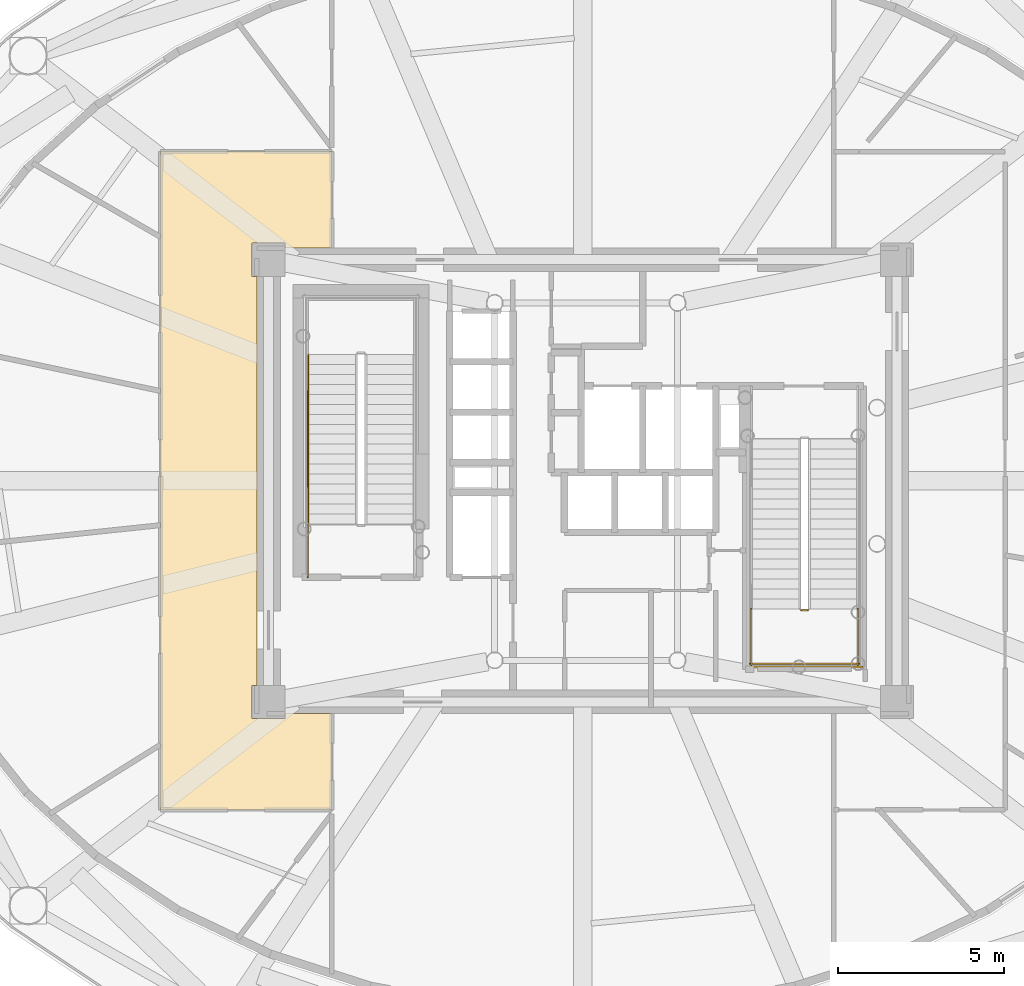
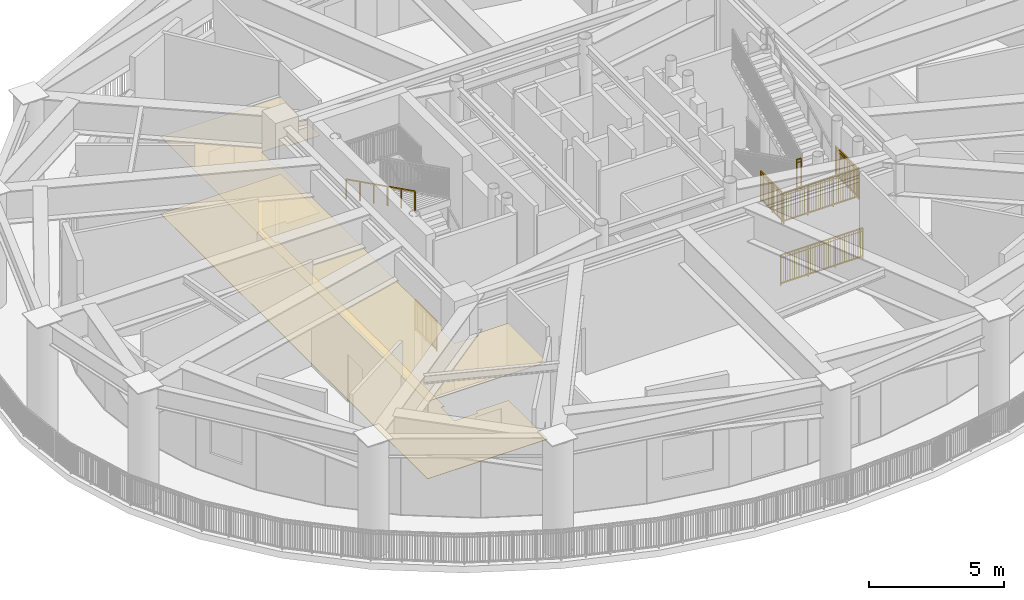
# One storey, part 8 of 14: 7 railings, 2 coverings.
"""IFC4 building model written with IfcOpenShell, lengths in metres."""

from ifc_helpers import new_model, si_unit, direction, frame, origin, origin_2d, place, context, subcontext, project, spatial, polyline, rectangle, outline, extrude, source, transform, mapped, material, layer, layer_set, type_object, element, save


model = new_model("IFC4")

# Units and contexts
model_context = context("Model", 3, precision=1e-05, world=origin(), true_north=direction((0.0, 1.0)))
body_context = subcontext(model_context, "Body", "Model", "MODEL_VIEW")
ifc_project = project(units=[si_unit("LENGTHUNIT", "METRE"), si_unit("AREAUNIT", "SQUARE_METRE"), si_unit("VOLUMEUNIT", "CUBIC_METRE"), si_unit("PLANEANGLEUNIT", "RADIAN"), si_unit("MASSUNIT", "GRAM", prefix="KILO")], contexts=[model_context])

# Site, building, storey
site_placement = place(None, origin())
site = spatial("IfcSite", under=ifc_project, at=site_placement, CompositionType="ELEMENT")
building_placement = place(site_placement, origin())
building = spatial("IfcBuilding", under=site, at=building_placement, Name="Linh Dai School and Residence Tower", CompositionType="ELEMENT")
storey_placement = place(building_placement, frame((0.0, 0.0, 262.800048828125)))
storey = spatial("IfcBuildingStorey", under=building, at=storey_placement, Name="L65", CompositionType="ELEMENT", Elevation=262.800048828125)

# Coverings
ifc_material_1 = material(Name="Mineral Fibre Acoustic Suspended Ceiling", Category="masonry")
ifc_layer_1 = layer(ifc_material_1, 0.02001953125)
ifc_layer_set_1 = layer_set([ifc_layer_1], Name="Mineral Fibre Acoustic Suspended Ceiling")
covering_type_1 = type_object("IfcCoveringType", Name="COV-CEIL-AC-20", PredefinedType="CEILING", material=ifc_layer_set_1)
covering_1_placement = place(storey_placement, frame((0.0, 0.0, 3.5)))
element("IfcCovering", 1, at=covering_1_placement, inside=storey, type_object=covering_type_1, Name="L65 Plant and Refuge Access Corridor West Suspended Ceiling", PredefinedType="CEILING", context=body_context, shape_type="SweptSolid", body=[
    extrude(outline(polyline([(23.300048828125, 36.89990234375), (28.449951171875, 36.89990234375), (28.449951171875, 34.0), (27.050048828125, 34.0), (27.050048828125, 34.14990234375), (26.050048828125, 34.14990234375), (26.050048828125, 33.14990234375), (26.199951171875, 33.14990234375), (26.199951171875, 20.85009765625), (26.050048828125, 20.85009765625), (26.050048828125, 19.85009765625), (27.050048828125, 19.85009765625), (27.050048828125, 20.0), (28.449951171875, 20.0), (28.449951171875, 17.10009765625), (23.300048828125, 17.10009765625), (23.300048828125, 36.89990234375)])), origin(), (0.0, 0.0, 1.0), 0.02001953125),
])
ifc_material_2 = material(Name="Polished Terrazzo Floor Finish", Category="masonry")
ifc_layer_2 = layer(ifc_material_2, 0.02490234375)
ifc_layer_set_2 = layer_set([ifc_layer_2], Name="Polished Terrazzo Floor Finish")
covering_type_2 = type_object("IfcCoveringType", Name="COV-FLR-TRZ-25", PredefinedType="FLOORING", material=ifc_layer_set_2)
covering_2_placement = place(storey_placement, origin())
element("IfcCovering", 2, at=covering_2_placement, inside=storey, type_object=covering_type_2, Name="L65 Plant and Refuge Access Corridor West Floor Finish", PredefinedType="FLOORING", context=body_context, shape_type="SweptSolid", body=[
    extrude(outline(polyline([(23.300048828125, 36.89990234375), (28.449951171875, 36.89990234375), (28.449951171875, 34.0), (27.050048828125, 34.0), (27.050048828125, 34.14990234375), (26.050048828125, 34.14990234375), (26.050048828125, 33.14990234375), (26.199951171875, 33.14990234375), (26.199951171875, 20.85009765625), (26.050048828125, 20.85009765625), (26.050048828125, 19.85009765625), (27.050048828125, 19.85009765625), (27.050048828125, 20.0), (28.449951171875, 20.0), (28.449951171875, 17.10009765625), (23.300048828125, 17.10009765625), (23.300048828125, 36.89990234375)])), origin(), (0.0, 0.0, 1.0), 0.02001953125),
])

# Railings
ifc_material_3 = material(Name="Structural Steel S355JR", Category="steel")
railing_type_1 = type_object("IfcRailingType", Name="RL-ST-GUARD-1400", PredefinedType="GUARDRAIL", material=ifc_material_3)
shared_shape_1 = source(origin(), body_context, "Body", "SweptSolid", [
    extrude(rectangle(XDim=0.048095703125, YDim=0.048095703125, at=origin_2d()), frame((0.0, 0.0, 1.3759765625), z_axis=(0.0, 1.0, 0.0), x_axis=(-1.0, 0.0, 0.0)), (0.0, 0.0, 1.0), 1.599853515625),
    extrude(rectangle(XDim=0.048095703125, YDim=0.048095703125, at=origin_2d()), frame((0.0, 0.0, 0.10009765625), z_axis=(0.0, 1.0, 0.0), x_axis=(-1.0, 0.0, 0.0)), (0.0, 0.0, 1.0), 1.599853515625),
    extrude(rectangle(XDim=0.030029296875, YDim=0.030029296875, at=origin_2d()), frame((0.0, 0.0, 1.239990234375), z_axis=(0.0, 1.0, 0.0), x_axis=(-1.0, 0.0, 0.0)), (0.0, 0.0, 1.0), 1.599853515625),
    extrude(rectangle(XDim=0.02001953125, YDim=0.02001953125, at=origin_2d()), frame((0.0, 0.093994140625, 0.10009765625)), (0.0, 0.0, 1.0), 1.251708984375),
    extrude(rectangle(XDim=0.02001953125, YDim=0.02001953125, at=origin_2d()), frame((0.0, 0.188232421875, 0.10009765625)), (0.0, 0.0, 1.0), 1.251708984375),
    extrude(rectangle(XDim=0.02001953125, YDim=0.02001953125, at=origin_2d()), frame((0.0, 0.2822265625, 0.10009765625)), (0.0, 0.0, 1.0), 1.251708984375),
    extrude(rectangle(XDim=0.02001953125, YDim=0.02001953125, at=origin_2d()), frame((0.0, 0.37646484375, 0.10009765625)), (0.0, 0.0, 1.0), 1.251708984375),
    extrude(rectangle(XDim=0.02001953125, YDim=0.02001953125, at=origin_2d()), frame((0.0, 0.470458984375, 0.10009765625)), (0.0, 0.0, 1.0), 1.251708984375),
    extrude(rectangle(XDim=0.02001953125, YDim=0.02001953125, at=origin_2d()), frame((0.0, 0.564697265625, 0.10009765625)), (0.0, 0.0, 1.0), 1.251708984375),
    extrude(rectangle(XDim=0.02001953125, YDim=0.02001953125, at=origin_2d()), frame((0.0, 0.65869140625, 0.10009765625)), (0.0, 0.0, 1.0), 1.251708984375),
    extrude(rectangle(XDim=0.02001953125, YDim=0.02001953125, at=origin_2d()), frame((0.0, 0.7529296875, 0.10009765625)), (0.0, 0.0, 1.0), 1.251708984375),
    extrude(rectangle(XDim=0.02001953125, YDim=0.02001953125, at=origin_2d()), frame((0.0, 0.846923828125, 0.10009765625)), (0.0, 0.0, 1.0), 1.251708984375),
    extrude(rectangle(XDim=0.02001953125, YDim=0.02001953125, at=origin_2d()), frame((0.0, 0.941162109375, 0.10009765625)), (0.0, 0.0, 1.0), 1.251708984375),
    extrude(rectangle(XDim=0.02001953125, YDim=0.02001953125, at=origin_2d()), frame((0.0, 1.03515625, 0.10009765625)), (0.0, 0.0, 1.0), 1.251708984375),
    extrude(rectangle(XDim=0.02001953125, YDim=0.02001953125, at=origin_2d()), frame((0.0, 1.12939453125, 0.10009765625)), (0.0, 0.0, 1.0), 1.251708984375),
    extrude(rectangle(XDim=0.02001953125, YDim=0.02001953125, at=origin_2d()), frame((0.0, 1.223388671875, 0.10009765625)), (0.0, 0.0, 1.0), 1.251708984375),
    extrude(rectangle(XDim=0.02001953125, YDim=0.02001953125, at=origin_2d()), frame((0.0, 1.317626953125, 0.10009765625)), (0.0, 0.0, 1.0), 1.251708984375),
    extrude(rectangle(XDim=0.02001953125, YDim=0.02001953125, at=origin_2d()), frame((0.0, 1.41162109375, 0.10009765625)), (0.0, 0.0, 1.0), 1.251708984375),
    extrude(rectangle(XDim=0.02001953125, YDim=0.02001953125, at=origin_2d()), frame((0.0, 1.505859375, 0.10009765625)), (0.0, 0.0, 1.0), 1.251708984375),
    extrude(rectangle(XDim=0.0419921875, YDim=0.0419921875, at=origin_2d()), origin(), (0.0, 0.0, 1.0), 1.3759765625),
    extrude(rectangle(XDim=0.0419921875, YDim=0.0419921875, at=origin_2d()), frame((0.0, 0.7998046875, 0.0)), (0.0, 0.0, 1.0), 1.3759765625),
    extrude(rectangle(XDim=0.0419921875, YDim=0.0419921875, at=origin_2d()), frame((0.0, 1.599853515625, 0.0)), (0.0, 0.0, 1.0), 1.3759765625),
])
railing_1_placement = place(storey_placement, frame((27.72998046875, 24.10009765625, 0.0)))
element("IfcRailing", 3, at=railing_1_placement, inside=storey, type_object=railing_type_1, Name="L65 ST1 stair guard 9", PredefinedType="GUARDRAIL", context=body_context, shape_type="MappedRepresentation", body=[
    mapped(shared_shape_1, transform((0.0, 0.0, 0.0), x_axis=(1.0, 0.0, 0.0), y_axis=(0.0, 1.0, 0.0), z_axis=(0.0, 0.0, 1.0), scale=1.0)),
])
ifc_material_4 = material(Name="Brushed Stainless Steel Handrail", Category="steel")
railing_type_2 = type_object("IfcRailingType", Name="RL-ST-HANDRAIL-900", PredefinedType="HANDRAIL", material=ifc_material_4)
shared_shape_2 = source(origin(), body_context, "Body", "SweptSolid", [
    extrude(rectangle(XDim=0.048095703125, YDim=0.048095703125, at=origin_2d()), frame((0.0, 0.0, 0.8759765625), z_axis=(0.0, -0.894427191, 0.4472135955), x_axis=(1.0, 0.0, 0.0)), (0.0, 0.0, 1.0), 5.7021484375),
    extrude(rectangle(XDim=0.0419921875, YDim=0.0419921875, at=origin_2d()), origin(), (0.0, 0.0, 1.0), 0.8759765625),
    extrude(rectangle(XDim=0.0419921875, YDim=0.0419921875, at=origin_2d()), frame((0.0, -1.02001953125, 0.510009765625)), (0.0, 0.0, 1.0), 0.8759765625),
    extrude(rectangle(XDim=0.0419921875, YDim=0.0419921875, at=origin_2d()), frame((0.0, -2.0400390625, 1.02001953125)), (0.0, 0.0, 1.0), 0.8759765625),
    extrude(rectangle(XDim=0.0419921875, YDim=0.0419921875, at=origin_2d()), frame((0.0, -3.06005859375, 1.530029296875)), (0.0, 0.0, 1.0), 0.8759765625),
    extrude(rectangle(XDim=0.0419921875, YDim=0.0419921875, at=origin_2d()), frame((0.0, -4.080078125, 2.0400390625)), (0.0, 0.0, 1.0), 0.8759765625),
    extrude(rectangle(XDim=0.0419921875, YDim=0.0419921875, at=origin_2d()), frame((0.0, -5.10009765625, 2.550048828125)), (0.0, 0.0, 1.0), 0.8759765625),
])
railing_2_placement = place(storey_placement, frame((27.72998046875, 30.800048828125, 2.849853515625)))
element("IfcRailing", 4, at=railing_2_placement, inside=storey, type_object=railing_type_2, Name="L65 ST1 stair handrail 2", PredefinedType="HANDRAIL", context=body_context, shape_type="MappedRepresentation", body=[
    mapped(shared_shape_2, transform((0.0, 0.0, 0.0), x_axis=(1.0, 0.0, 0.0), y_axis=(0.0, 1.0, 0.0), z_axis=(0.0, 0.0, 1.0), scale=1.0)),
])
shared_shape_3 = source(origin(), body_context, "Body", "SweptSolid", [
    extrude(rectangle(XDim=0.048095703125, YDim=0.048095703125, at=origin_2d()), frame((0.0, 0.0, 1.3759765625), z_axis=(1.0, 0.0, 0.0), x_axis=(0.0, 1.0, 0.0)), (0.0, 0.0, 1.0), 0.199951171875),
    extrude(rectangle(XDim=0.048095703125, YDim=0.048095703125, at=origin_2d()), frame((0.0, 0.0, 0.10009765625), z_axis=(1.0, 0.0, 0.0), x_axis=(0.0, 1.0, 0.0)), (0.0, 0.0, 1.0), 0.199951171875),
    extrude(rectangle(XDim=0.030029296875, YDim=0.030029296875, at=origin_2d()), frame((0.0, 0.0, 1.239990234375), z_axis=(1.0, 0.0, 0.0), x_axis=(0.0, 1.0, 0.0)), (0.0, 0.0, 1.0), 0.199951171875),
    extrude(rectangle(XDim=0.0419921875, YDim=0.0419921875, at=origin_2d()), origin(), (0.0, 0.0, 1.0), 1.3759765625),
    extrude(rectangle(XDim=0.0419921875, YDim=0.0419921875, at=origin_2d()), frame((0.199951171875, 0.0, 0.0)), (0.0, 0.0, 1.0), 1.3759765625),
])
railing_3_placement = place(storey_placement, frame((42.570068359375, 23.10009765625, 2.699951171875)))
element("IfcRailing", 5, at=railing_3_placement, inside=storey, type_object=railing_type_1, Name="L65 ST2 stair guard 2", PredefinedType="GUARDRAIL", context=body_context, shape_type="MappedRepresentation", body=[
    mapped(shared_shape_3, transform((0.0, 0.0, 0.0), x_axis=(1.0, 0.0, 0.0), y_axis=(0.0, 1.0, 0.0), z_axis=(0.0, 0.0, 1.0), scale=1.0)),
])
shared_shape_4 = source(origin(), body_context, "Body", "SweptSolid", [
    extrude(rectangle(XDim=0.048095703125, YDim=0.048095703125, at=origin_2d()), frame((0.0, 0.0, 1.3759765625), z_axis=(1.0, 0.0, 0.0), x_axis=(0.0, 1.0, 0.0)), (0.0, 0.0, 1.0), 3.300048828125),
    extrude(rectangle(XDim=0.048095703125, YDim=0.048095703125, at=origin_2d()), frame((0.0, 0.0, 0.10009765625), z_axis=(1.0, 0.0, 0.0), x_axis=(0.0, 1.0, 0.0)), (0.0, 0.0, 1.0), 3.300048828125),
    extrude(rectangle(XDim=0.030029296875, YDim=0.030029296875, at=origin_2d()), frame((0.0, 0.0, 1.239990234375), z_axis=(1.0, 0.0, 0.0), x_axis=(0.0, 1.0, 0.0)), (0.0, 0.0, 1.0), 3.300048828125),
    extrude(rectangle(XDim=0.02001953125, YDim=0.02001953125, at=origin_2d()), frame((0.09716796875, 0.0, 0.10009765625)), (0.0, 0.0, 1.0), 1.251708984375),
    extrude(rectangle(XDim=0.02001953125, YDim=0.02001953125, at=origin_2d()), frame((0.194091796875, 0.0, 0.10009765625)), (0.0, 0.0, 1.0), 1.251708984375),
    extrude(rectangle(XDim=0.02001953125, YDim=0.02001953125, at=origin_2d()), frame((0.291259765625, 0.0, 0.10009765625)), (0.0, 0.0, 1.0), 1.251708984375),
    extrude(rectangle(XDim=0.02001953125, YDim=0.02001953125, at=origin_2d()), frame((0.38818359375, 0.0, 0.10009765625)), (0.0, 0.0, 1.0), 1.251708984375),
    extrude(rectangle(XDim=0.02001953125, YDim=0.02001953125, at=origin_2d()), frame((0.4853515625, 0.0, 0.10009765625)), (0.0, 0.0, 1.0), 1.251708984375),
    extrude(rectangle(XDim=0.02001953125, YDim=0.02001953125, at=origin_2d()), frame((0.582275390625, 0.0, 0.10009765625)), (0.0, 0.0, 1.0), 1.251708984375),
    extrude(rectangle(XDim=0.02001953125, YDim=0.02001953125, at=origin_2d()), frame((0.679443359375, 0.0, 0.10009765625)), (0.0, 0.0, 1.0), 1.251708984375),
    extrude(rectangle(XDim=0.02001953125, YDim=0.02001953125, at=origin_2d()), frame((0.7763671875, 0.0, 0.10009765625)), (0.0, 0.0, 1.0), 1.251708984375),
    extrude(rectangle(XDim=0.02001953125, YDim=0.02001953125, at=origin_2d()), frame((0.87353515625, 0.0, 0.10009765625)), (0.0, 0.0, 1.0), 1.251708984375),
    extrude(rectangle(XDim=0.02001953125, YDim=0.02001953125, at=origin_2d()), frame((0.970703125, 0.0, 0.10009765625)), (0.0, 0.0, 1.0), 1.251708984375),
    extrude(rectangle(XDim=0.02001953125, YDim=0.02001953125, at=origin_2d()), frame((1.164794921875, 0.0, 0.10009765625)), (0.0, 0.0, 1.0), 1.251708984375),
    extrude(rectangle(XDim=0.02001953125, YDim=0.02001953125, at=origin_2d()), frame((1.26171875, 0.0, 0.10009765625)), (0.0, 0.0, 1.0), 1.251708984375),
    extrude(rectangle(XDim=0.02001953125, YDim=0.02001953125, at=origin_2d()), frame((1.35888671875, 0.0, 0.10009765625)), (0.0, 0.0, 1.0), 1.251708984375),
    extrude(rectangle(XDim=0.02001953125, YDim=0.02001953125, at=origin_2d()), frame((1.455810546875, 0.0, 0.10009765625)), (0.0, 0.0, 1.0), 1.251708984375),
    extrude(rectangle(XDim=0.02001953125, YDim=0.02001953125, at=origin_2d()), frame((1.552978515625, 0.0, 0.10009765625)), (0.0, 0.0, 1.0), 1.251708984375),
    extrude(rectangle(XDim=0.02001953125, YDim=0.02001953125, at=origin_2d()), frame((1.64990234375, 0.0, 0.10009765625)), (0.0, 0.0, 1.0), 1.251708984375),
    extrude(rectangle(XDim=0.02001953125, YDim=0.02001953125, at=origin_2d()), frame((1.7470703125, 0.0, 0.10009765625)), (0.0, 0.0, 1.0), 1.251708984375),
    extrude(rectangle(XDim=0.02001953125, YDim=0.02001953125, at=origin_2d()), frame((1.84423828125, 0.0, 0.10009765625)), (0.0, 0.0, 1.0), 1.251708984375),
    extrude(rectangle(XDim=0.02001953125, YDim=0.02001953125, at=origin_2d()), frame((1.941162109375, 0.0, 0.10009765625)), (0.0, 0.0, 1.0), 1.251708984375),
    extrude(rectangle(XDim=0.02001953125, YDim=0.02001953125, at=origin_2d()), frame((2.038330078125, 0.0, 0.10009765625)), (0.0, 0.0, 1.0), 1.251708984375),
    extrude(rectangle(XDim=0.02001953125, YDim=0.02001953125, at=origin_2d()), frame((2.13525390625, 0.0, 0.10009765625)), (0.0, 0.0, 1.0), 1.251708984375),
    extrude(rectangle(XDim=0.02001953125, YDim=0.02001953125, at=origin_2d()), frame((2.329345703125, 0.0, 0.10009765625)), (0.0, 0.0, 1.0), 1.251708984375),
    extrude(rectangle(XDim=0.02001953125, YDim=0.02001953125, at=origin_2d()), frame((2.426513671875, 0.0, 0.10009765625)), (0.0, 0.0, 1.0), 1.251708984375),
    extrude(rectangle(XDim=0.02001953125, YDim=0.02001953125, at=origin_2d()), frame((2.523681640625, 0.0, 0.10009765625)), (0.0, 0.0, 1.0), 1.251708984375),
    extrude(rectangle(XDim=0.02001953125, YDim=0.02001953125, at=origin_2d()), frame((2.62060546875, 0.0, 0.10009765625)), (0.0, 0.0, 1.0), 1.251708984375),
    extrude(rectangle(XDim=0.02001953125, YDim=0.02001953125, at=origin_2d()), frame((2.7177734375, 0.0, 0.10009765625)), (0.0, 0.0, 1.0), 1.251708984375),
    extrude(rectangle(XDim=0.02001953125, YDim=0.02001953125, at=origin_2d()), frame((2.814697265625, 0.0, 0.10009765625)), (0.0, 0.0, 1.0), 1.251708984375),
    extrude(rectangle(XDim=0.02001953125, YDim=0.02001953125, at=origin_2d()), frame((2.911865234375, 0.0, 0.10009765625)), (0.0, 0.0, 1.0), 1.251708984375),
    extrude(rectangle(XDim=0.02001953125, YDim=0.02001953125, at=origin_2d()), frame((3.0087890625, 0.0, 0.10009765625)), (0.0, 0.0, 1.0), 1.251708984375),
    extrude(rectangle(XDim=0.02001953125, YDim=0.02001953125, at=origin_2d()), frame((3.10595703125, 0.0, 0.10009765625)), (0.0, 0.0, 1.0), 1.251708984375),
    extrude(rectangle(XDim=0.02001953125, YDim=0.02001953125, at=origin_2d()), frame((3.202880859375, 0.0, 0.10009765625)), (0.0, 0.0, 1.0), 1.251708984375),
    extrude(rectangle(XDim=0.0419921875, YDim=0.0419921875, at=origin_2d()), origin(), (0.0, 0.0, 1.0), 1.3759765625),
    extrude(rectangle(XDim=0.0419921875, YDim=0.0419921875, at=origin_2d()), frame((1.10009765625, 0.0, 0.0)), (0.0, 0.0, 1.0), 1.3759765625),
    extrude(rectangle(XDim=0.0419921875, YDim=0.0419921875, at=origin_2d()), frame((2.199951171875, 0.0, 0.0)), (0.0, 0.0, 1.0), 1.3759765625),
    extrude(rectangle(XDim=0.0419921875, YDim=0.0419921875, at=origin_2d()), frame((3.300048828125, 0.0, 0.0)), (0.0, 0.0, 1.0), 1.3759765625),
])
railing_4_placement = place(storey_placement, frame((41.02001953125, 21.5, 2.699951171875)))
element("IfcRailing", 6, at=railing_4_placement, inside=storey, type_object=railing_type_1, Name="L65 ST2 stair guard 5", PredefinedType="GUARDRAIL", context=body_context, shape_type="MappedRepresentation", body=[
    mapped(shared_shape_4, transform((0.0, 0.0, 0.0), x_axis=(1.0, 0.0, 0.0), y_axis=(0.0, 1.0, 0.0), z_axis=(0.0, 0.0, 1.0), scale=1.0)),
])
shared_shape_5 = source(origin(), body_context, "Body", "SweptSolid", [
    extrude(rectangle(XDim=0.048095703125, YDim=0.048095703125, at=origin_2d()), frame((0.0, 0.0, 1.3759765625), z_axis=(1.0, 0.0, 0.0), x_axis=(0.0, 1.0, 0.0)), (0.0, 0.0, 1.0), 3.5),
    extrude(rectangle(XDim=0.048095703125, YDim=0.048095703125, at=origin_2d()), frame((0.0, 0.0, 0.10009765625), z_axis=(1.0, 0.0, 0.0), x_axis=(0.0, 1.0, 0.0)), (0.0, 0.0, 1.0), 3.5),
    extrude(rectangle(XDim=0.030029296875, YDim=0.030029296875, at=origin_2d()), frame((0.0, 0.0, 1.239990234375), z_axis=(1.0, 0.0, 0.0), x_axis=(0.0, 1.0, 0.0)), (0.0, 0.0, 1.0), 3.5),
    extrude(rectangle(XDim=0.02001953125, YDim=0.02001953125, at=origin_2d()), frame((0.09716796875, 0.0, 0.10009765625)), (0.0, 0.0, 1.0), 1.251708984375),
    extrude(rectangle(XDim=0.02001953125, YDim=0.02001953125, at=origin_2d()), frame((0.1943359375, 0.0, 0.10009765625)), (0.0, 0.0, 1.0), 1.251708984375),
    extrude(rectangle(XDim=0.02001953125, YDim=0.02001953125, at=origin_2d()), frame((0.291748046875, 0.0, 0.10009765625)), (0.0, 0.0, 1.0), 1.251708984375),
    extrude(rectangle(XDim=0.02001953125, YDim=0.02001953125, at=origin_2d()), frame((0.388916015625, 0.0, 0.10009765625)), (0.0, 0.0, 1.0), 1.251708984375),
    extrude(rectangle(XDim=0.02001953125, YDim=0.02001953125, at=origin_2d()), frame((0.486083984375, 0.0, 0.10009765625)), (0.0, 0.0, 1.0), 1.251708984375),
    extrude(rectangle(XDim=0.02001953125, YDim=0.02001953125, at=origin_2d()), frame((0.583251953125, 0.0, 0.10009765625)), (0.0, 0.0, 1.0), 1.251708984375),
    extrude(rectangle(XDim=0.02001953125, YDim=0.02001953125, at=origin_2d()), frame((0.6806640625, 0.0, 0.10009765625)), (0.0, 0.0, 1.0), 1.251708984375),
    extrude(rectangle(XDim=0.02001953125, YDim=0.02001953125, at=origin_2d()), frame((0.77783203125, 0.0, 0.10009765625)), (0.0, 0.0, 1.0), 1.251708984375),
    extrude(rectangle(XDim=0.02001953125, YDim=0.02001953125, at=origin_2d()), frame((0.875, 0.0, 0.10009765625)), (0.0, 0.0, 1.0), 1.251708984375),
    extrude(rectangle(XDim=0.02001953125, YDim=0.02001953125, at=origin_2d()), frame((0.97216796875, 0.0, 0.10009765625)), (0.0, 0.0, 1.0), 1.251708984375),
    extrude(rectangle(XDim=0.02001953125, YDim=0.02001953125, at=origin_2d()), frame((1.0693359375, 0.0, 0.10009765625)), (0.0, 0.0, 1.0), 1.251708984375),
    extrude(rectangle(XDim=0.02001953125, YDim=0.02001953125, at=origin_2d()), frame((1.263916015625, 0.0, 0.10009765625)), (0.0, 0.0, 1.0), 1.251708984375),
    extrude(rectangle(XDim=0.02001953125, YDim=0.02001953125, at=origin_2d()), frame((1.361083984375, 0.0, 0.10009765625)), (0.0, 0.0, 1.0), 1.251708984375),
    extrude(rectangle(XDim=0.02001953125, YDim=0.02001953125, at=origin_2d()), frame((1.458251953125, 0.0, 0.10009765625)), (0.0, 0.0, 1.0), 1.251708984375),
    extrude(rectangle(XDim=0.02001953125, YDim=0.02001953125, at=origin_2d()), frame((1.5556640625, 0.0, 0.10009765625)), (0.0, 0.0, 1.0), 1.251708984375),
    extrude(rectangle(XDim=0.02001953125, YDim=0.02001953125, at=origin_2d()), frame((1.65283203125, 0.0, 0.10009765625)), (0.0, 0.0, 1.0), 1.251708984375),
    extrude(rectangle(XDim=0.02001953125, YDim=0.02001953125, at=origin_2d()), frame((1.75, 0.0, 0.10009765625)), (0.0, 0.0, 1.0), 1.251708984375),
    extrude(rectangle(XDim=0.02001953125, YDim=0.02001953125, at=origin_2d()), frame((1.84716796875, 0.0, 0.10009765625)), (0.0, 0.0, 1.0), 1.251708984375),
    extrude(rectangle(XDim=0.02001953125, YDim=0.02001953125, at=origin_2d()), frame((1.9443359375, 0.0, 0.10009765625)), (0.0, 0.0, 1.0), 1.251708984375),
    extrude(rectangle(XDim=0.02001953125, YDim=0.02001953125, at=origin_2d()), frame((2.041748046875, 0.0, 0.10009765625)), (0.0, 0.0, 1.0), 1.251708984375),
    extrude(rectangle(XDim=0.02001953125, YDim=0.02001953125, at=origin_2d()), frame((2.138916015625, 0.0, 0.10009765625)), (0.0, 0.0, 1.0), 1.251708984375),
    extrude(rectangle(XDim=0.02001953125, YDim=0.02001953125, at=origin_2d()), frame((2.236083984375, 0.0, 0.10009765625)), (0.0, 0.0, 1.0), 1.251708984375),
    extrude(rectangle(XDim=0.02001953125, YDim=0.02001953125, at=origin_2d()), frame((2.4306640625, 0.0, 0.10009765625)), (0.0, 0.0, 1.0), 1.251708984375),
    extrude(rectangle(XDim=0.02001953125, YDim=0.02001953125, at=origin_2d()), frame((2.52783203125, 0.0, 0.10009765625)), (0.0, 0.0, 1.0), 1.251708984375),
    extrude(rectangle(XDim=0.02001953125, YDim=0.02001953125, at=origin_2d()), frame((2.625, 0.0, 0.10009765625)), (0.0, 0.0, 1.0), 1.251708984375),
    extrude(rectangle(XDim=0.02001953125, YDim=0.02001953125, at=origin_2d()), frame((2.72216796875, 0.0, 0.10009765625)), (0.0, 0.0, 1.0), 1.251708984375),
    extrude(rectangle(XDim=0.02001953125, YDim=0.02001953125, at=origin_2d()), frame((2.8193359375, 0.0, 0.10009765625)), (0.0, 0.0, 1.0), 1.251708984375),
    extrude(rectangle(XDim=0.02001953125, YDim=0.02001953125, at=origin_2d()), frame((2.916748046875, 0.0, 0.10009765625)), (0.0, 0.0, 1.0), 1.251708984375),
    extrude(rectangle(XDim=0.02001953125, YDim=0.02001953125, at=origin_2d()), frame((3.013916015625, 0.0, 0.10009765625)), (0.0, 0.0, 1.0), 1.251708984375),
    extrude(rectangle(XDim=0.02001953125, YDim=0.02001953125, at=origin_2d()), frame((3.111083984375, 0.0, 0.10009765625)), (0.0, 0.0, 1.0), 1.251708984375),
    extrude(rectangle(XDim=0.02001953125, YDim=0.02001953125, at=origin_2d()), frame((3.208251953125, 0.0, 0.10009765625)), (0.0, 0.0, 1.0), 1.251708984375),
    extrude(rectangle(XDim=0.02001953125, YDim=0.02001953125, at=origin_2d()), frame((3.3056640625, 0.0, 0.10009765625)), (0.0, 0.0, 1.0), 1.251708984375),
    extrude(rectangle(XDim=0.02001953125, YDim=0.02001953125, at=origin_2d()), frame((3.40283203125, 0.0, 0.10009765625)), (0.0, 0.0, 1.0), 1.251708984375),
    extrude(rectangle(XDim=0.0419921875, YDim=0.0419921875, at=origin_2d()), origin(), (0.0, 0.0, 1.0), 1.3759765625),
    extrude(rectangle(XDim=0.0419921875, YDim=0.0419921875, at=origin_2d()), frame((1.166748046875, 0.0, 0.0)), (0.0, 0.0, 1.0), 1.3759765625),
    extrude(rectangle(XDim=0.0419921875, YDim=0.0419921875, at=origin_2d()), frame((2.333251953125, 0.0, 0.0)), (0.0, 0.0, 1.0), 1.3759765625),
    extrude(rectangle(XDim=0.0419921875, YDim=0.0419921875, at=origin_2d()), frame((3.5, 0.0, 0.0)), (0.0, 0.0, 1.0), 1.3759765625),
])
railing_5_placement = place(storey_placement, frame((40.919921875, 21.39990234375, 0.0)))
element("IfcRailing", 7, at=railing_5_placement, inside=storey, type_object=railing_type_1, Name="L65 ST2 stair guard 12", PredefinedType="GUARDRAIL", context=body_context, shape_type="MappedRepresentation", body=[
    mapped(shared_shape_5, transform((0.0, 0.0, 0.0), x_axis=(1.0, 0.0, 0.0), y_axis=(0.0, 1.0, 0.0), z_axis=(0.0, 0.0, 1.0), scale=1.0)),
])
shared_shape_6 = source(origin(), body_context, "Body", "SweptSolid", [
    extrude(rectangle(XDim=0.048095703125, YDim=0.048095703125, at=origin_2d()), frame((0.0, 0.0, 1.3759765625), z_axis=(0.0, -1.0, 0.0), x_axis=(1.0, 0.0, 0.0)), (0.0, 0.0, 1.0), 1.699951171875),
    extrude(rectangle(XDim=0.048095703125, YDim=0.048095703125, at=origin_2d()), frame((0.0, 0.0, 0.10009765625), z_axis=(0.0, -1.0, 0.0), x_axis=(1.0, 0.0, 0.0)), (0.0, 0.0, 1.0), 1.699951171875),
    extrude(rectangle(XDim=0.030029296875, YDim=0.030029296875, at=origin_2d()), frame((0.0, 0.0, 1.239990234375), z_axis=(0.0, -1.0, 0.0), x_axis=(1.0, 0.0, 0.0)), (0.0, 0.0, 1.0), 1.699951171875),
    extrude(rectangle(XDim=0.02001953125, YDim=0.02001953125, at=origin_2d()), frame((0.0, -0.094482421875, 0.10009765625)), (0.0, 0.0, 1.0), 1.251708984375),
    extrude(rectangle(XDim=0.02001953125, YDim=0.02001953125, at=origin_2d()), frame((0.0, -0.18896484375, 0.10009765625)), (0.0, 0.0, 1.0), 1.251708984375),
    extrude(rectangle(XDim=0.02001953125, YDim=0.02001953125, at=origin_2d()), frame((0.0, -0.283203125, 0.10009765625)), (0.0, 0.0, 1.0), 1.251708984375),
    extrude(rectangle(XDim=0.02001953125, YDim=0.02001953125, at=origin_2d()), frame((0.0, -0.377685546875, 0.10009765625)), (0.0, 0.0, 1.0), 1.251708984375),
    extrude(rectangle(XDim=0.02001953125, YDim=0.02001953125, at=origin_2d()), frame((0.0, -0.47216796875, 0.10009765625)), (0.0, 0.0, 1.0), 1.251708984375),
    extrude(rectangle(XDim=0.02001953125, YDim=0.02001953125, at=origin_2d()), frame((0.0, -0.566650390625, 0.10009765625)), (0.0, 0.0, 1.0), 1.251708984375),
    extrude(rectangle(XDim=0.02001953125, YDim=0.02001953125, at=origin_2d()), frame((0.0, -0.6611328125, 0.10009765625)), (0.0, 0.0, 1.0), 1.251708984375),
    extrude(rectangle(XDim=0.02001953125, YDim=0.02001953125, at=origin_2d()), frame((0.0, -0.755615234375, 0.10009765625)), (0.0, 0.0, 1.0), 1.251708984375),
    extrude(rectangle(XDim=0.02001953125, YDim=0.02001953125, at=origin_2d()), frame((0.0, -0.9443359375, 0.10009765625)), (0.0, 0.0, 1.0), 1.251708984375),
    extrude(rectangle(XDim=0.02001953125, YDim=0.02001953125, at=origin_2d()), frame((0.0, -1.038818359375, 0.10009765625)), (0.0, 0.0, 1.0), 1.251708984375),
    extrude(rectangle(XDim=0.02001953125, YDim=0.02001953125, at=origin_2d()), frame((0.0, -1.13330078125, 0.10009765625)), (0.0, 0.0, 1.0), 1.251708984375),
    extrude(rectangle(XDim=0.02001953125, YDim=0.02001953125, at=origin_2d()), frame((0.0, -1.227783203125, 0.10009765625)), (0.0, 0.0, 1.0), 1.251708984375),
    extrude(rectangle(XDim=0.02001953125, YDim=0.02001953125, at=origin_2d()), frame((0.0, -1.322265625, 0.10009765625)), (0.0, 0.0, 1.0), 1.251708984375),
    extrude(rectangle(XDim=0.02001953125, YDim=0.02001953125, at=origin_2d()), frame((0.0, -1.41650390625, 0.10009765625)), (0.0, 0.0, 1.0), 1.251708984375),
    extrude(rectangle(XDim=0.02001953125, YDim=0.02001953125, at=origin_2d()), frame((0.0, -1.510986328125, 0.10009765625)), (0.0, 0.0, 1.0), 1.251708984375),
    extrude(rectangle(XDim=0.02001953125, YDim=0.02001953125, at=origin_2d()), frame((0.0, -1.60546875, 0.10009765625)), (0.0, 0.0, 1.0), 1.251708984375),
    extrude(rectangle(XDim=0.0419921875, YDim=0.0419921875, at=origin_2d()), origin(), (0.0, 0.0, 1.0), 1.3759765625),
    extrude(rectangle(XDim=0.0419921875, YDim=0.0419921875, at=origin_2d()), frame((0.0, -0.85009765625, 0.0)), (0.0, 0.0, 1.0), 1.3759765625),
    extrude(rectangle(XDim=0.0419921875, YDim=0.0419921875, at=origin_2d()), frame((0.0, -1.699951171875, 0.0)), (0.0, 0.0, 1.0), 1.3759765625),
])
for number, where, name in (
    (8, (41.070068359375, 23.14990234375, 2.699951171875), "L65 ST2 stair guard 3"),
    (9, (44.27001953125, 23.14990234375, 2.699951171875), "L65 ST2 stair guard 4"),
):
    element("IfcRailing", number, at=place(storey_placement, frame(where)), inside=storey, type_object=railing_type_1, Name=name, PredefinedType="GUARDRAIL", context=body_context, shape_type="MappedRepresentation", body=[
        mapped(shared_shape_6, transform((0.0, 0.0, 0.0), x_axis=(1.0, 0.0, 0.0), y_axis=(0.0, 1.0, 0.0), z_axis=(0.0, 0.0, 1.0), scale=1.0)),
    ])

save(model, "model.ifc")
